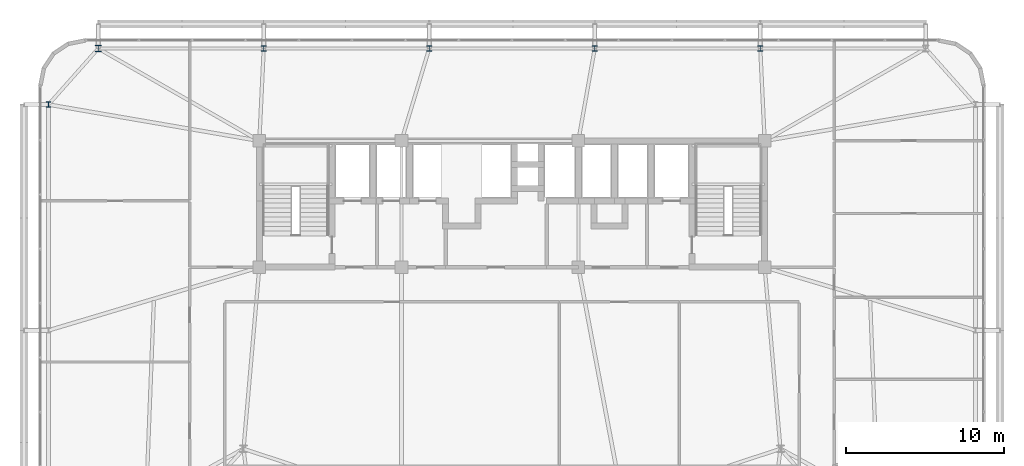
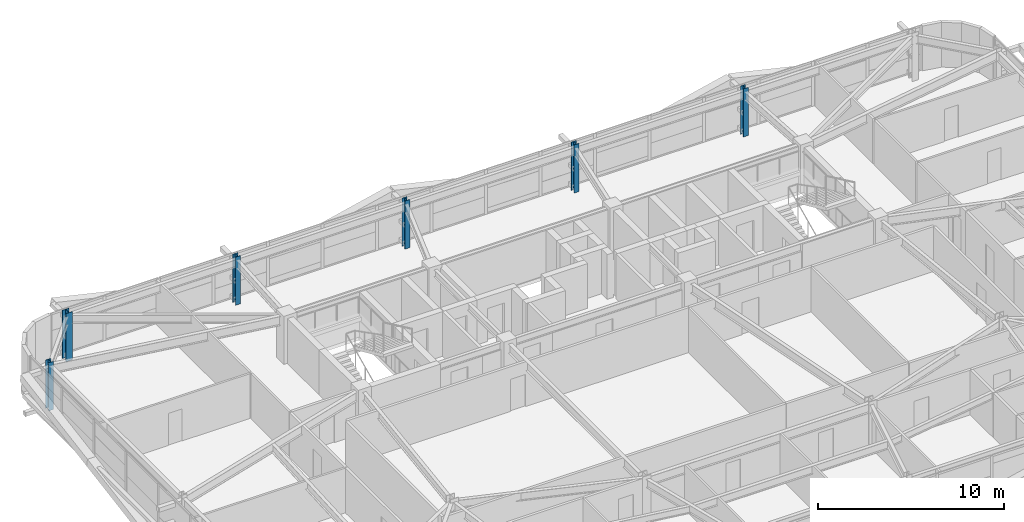
# One storey, part 3 of 58: 6 columns.
"""IFC4 building model written with IfcOpenShell, lengths in metres."""

from ifc_helpers import new_model, si_unit, direction, frame, origin, origin_2d, place, context, subcontext, project, spatial, i_section, extrude, source, transform, mapped, material, material_profile, profile_set, type_object, element, save


model = new_model("IFC4")

# Units and contexts
model_context = context("Model", 3, precision=1e-05, world=origin(), true_north=direction((0.0, 1.0)))
body_context = subcontext(model_context, "Body", "Model", "MODEL_VIEW")
ifc_project = project(units=[si_unit("LENGTHUNIT", "METRE"), si_unit("AREAUNIT", "SQUARE_METRE"), si_unit("VOLUMEUNIT", "CUBIC_METRE"), si_unit("PLANEANGLEUNIT", "RADIAN"), si_unit("MASSUNIT", "GRAM", prefix="KILO")], contexts=[model_context])

# Site, building, storey
site_placement = place(None, origin())
site = spatial("IfcSite", under=ifc_project, at=site_placement, CompositionType="ELEMENT")
building_placement = place(site_placement, origin())
building = spatial("IfcBuilding", under=site, at=building_placement, Name="Taldren Reach Tower", CompositionType="ELEMENT")
storey_placement = place(building_placement, frame((0.0, 0.0, 51.449951171875)))
storey = spatial("IfcBuildingStorey", under=building, at=storey_placement, Name="L15", CompositionType="ELEMENT", Elevation=51.449951171875)

# Columns
ifc_material = material(Name="Steel Gr 350 (350PLUS)", Category="steel")
ifc_material_profile_1 = material_profile(ifc_material, i_section(OverallWidth=0.39990234375, OverallDepth=0.39599609375, WebThickness=0.02197265625, FlangeThickness=0.033935546875, at=origin_2d()), Name="400WC270")
ifc_profile_set_1 = profile_set([ifc_material_profile_1], Name="Steel Gr 350 (350PLUS)")
column_type_1 = type_object("IfcColumnType", Name="COL-WC400", PredefinedType="COLUMN", material=ifc_profile_set_1)
shared_shape_1 = source(origin(), body_context, "Body", "SweptSolid", [
    extrude(i_section(OverallWidth=0.39990234375, OverallDepth=0.39599609375, WebThickness=0.02197265625, FlangeThickness=0.033935546875, at=origin_2d()), origin(), (0.0, 0.0, 1.0), 3.150146484375),
])
column_placement = place(storey_placement, frame((8.800048828125, 37.85009765625, 0.0), z_axis=(0.0, 0.0, 1.0), x_axis=(1.0, 0.0, 0.0)))
element("IfcColumn", 1, at=column_placement, inside=storey, type_object=column_type_1, Name="Block B1 perimeter column N1 L15", PredefinedType="COLUMN", context=body_context, shape_type="MappedRepresentation", body=[
    mapped(shared_shape_1, transform((0.0, 0.0, 0.0), scale=1.0)),
])
ifc_material_profile_2 = material_profile(ifc_material, i_section(OverallWidth=0.31103515625, OverallDepth=0.326904296875, WebThickness=0.015625, FlangeThickness=0.02490234375, at=origin_2d()), Name="310UC158")
ifc_profile_set_2 = profile_set([ifc_material_profile_2], Name="Steel Gr 350 (350PLUS)")
column_type_2 = type_object("IfcColumnType", Name="COL-UC310A", PredefinedType="COLUMN", material=ifc_profile_set_2)
shared_shape_2 = source(origin(), body_context, "Body", "SweptSolid", [
    extrude(i_section(OverallWidth=0.31103515625, OverallDepth=0.326904296875, WebThickness=0.015625, FlangeThickness=0.02490234375, at=origin_2d()), origin(), (0.0, 0.0, 1.0), 3.150146484375),
])
for number, where, z_axis, x_axis, name in (
    (2, (19.280029296875, 37.85009765625, 0.0), (0.0, 0.0, 1.0), (1.0, 0.0, 0.0), "Block B1 perimeter column N2 L15"),
    (3, (29.760009765625, 37.85009765625, 0.0), (0.0, 0.0, 1.0), (1.0, 0.0, 0.0), "Block B1 perimeter column N3 L15"),
    (4, (40.239990234375, 37.85009765625, 0.0), (0.0, 0.0, 1.0), (1.0, 0.0, 0.0), "Block B1 perimeter column N4 L15"),
    (5, (50.719970703125, 37.85009765625, 0.0), (0.0, 0.0, 1.0), (1.0, 0.0, 0.0), "Block B1 perimeter column N5 L15"),
    (6, (5.64990234375, 34.300048828125, 0.0), (0.0, 0.0, 1.0), (1.0, 0.0, 0.0), "Block B1 perimeter column W3 L15"),
):
    element("IfcColumn", number, at=place(storey_placement, frame(where, z_axis=z_axis, x_axis=x_axis)), inside=storey, type_object=column_type_2, Name=name, PredefinedType="COLUMN", context=body_context, shape_type="MappedRepresentation", body=[
        mapped(shared_shape_2, transform((0.0, 0.0, 0.0), scale=1.0)),
    ])

save(model, "model.ifc")
